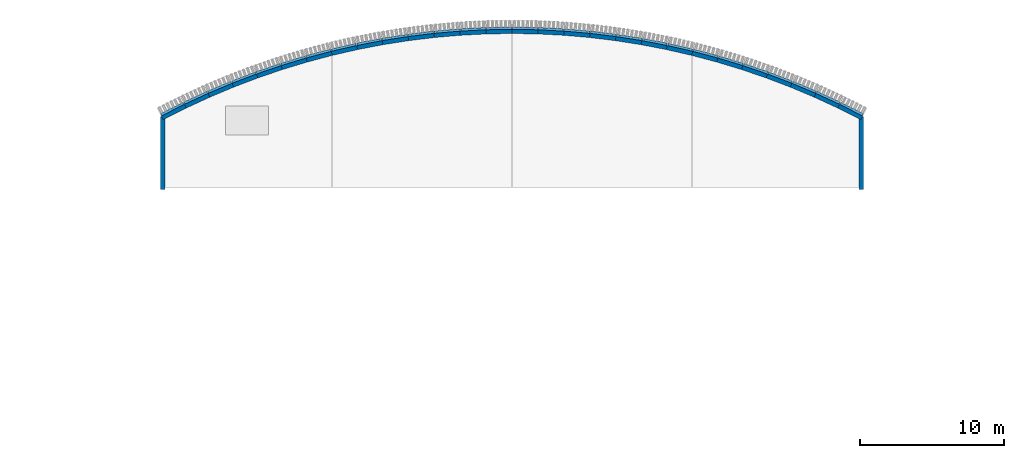
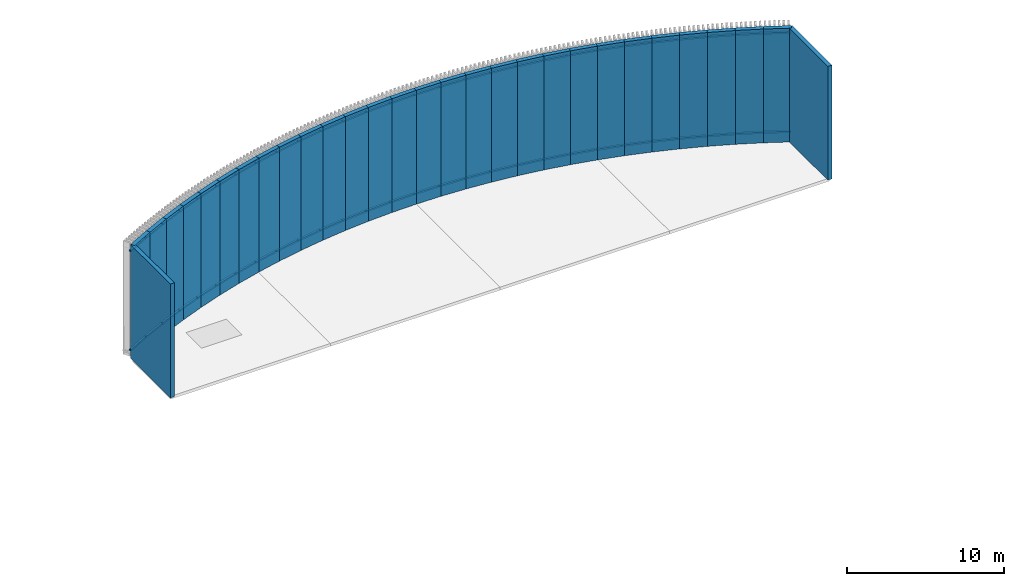
# One storey, part 27 of 32: 56 discrete accessories, 30 walls.
"""IFC4 building model written with IfcOpenShell, lengths in metres."""

from ifc_helpers import new_model, si_unit, direction, frame, frame_2d, origin, place, context, subcontext, project, spatial, polyline, rectangle, outline, extrude, material, layer, layer_set, type_object, element, save


model = new_model("IFC4")

# Units and contexts
model_context = context("Model", 3, precision=1e-05, world=origin(), true_north=direction((0.0, 1.0)))
body_context = subcontext(model_context, "Body", "Model", "MODEL_VIEW")
ifc_project = project(units=[si_unit("LENGTHUNIT", "METRE"), si_unit("AREAUNIT", "SQUARE_METRE"), si_unit("VOLUMEUNIT", "CUBIC_METRE"), si_unit("PLANEANGLEUNIT", "RADIAN"), si_unit("MASSUNIT", "GRAM", prefix="KILO")], contexts=[model_context])

# Site, building, storey
site_placement = place(None, origin())
site = spatial("IfcSite", under=ifc_project, at=site_placement, CompositionType="ELEMENT")
building_placement = place(site_placement, origin())
building = spatial("IfcBuilding", under=site, at=building_placement, Name="Sardonyx Promenade Sports Hall", CompositionType="ELEMENT")
storey_placement = place(building_placement, frame((0.0, 0.0, 20.39990234375)))
storey = spatial("IfcBuildingStorey", under=building, at=storey_placement, Name="L04", CompositionType="ELEMENT", Elevation=20.39990234375)

# Walls
ifc_material_1 = material(Name="Concrete C40/50", Category="concrete")
ifc_layer = layer(ifc_material_1, 0.300048828125)
ifc_layer_set = layer_set([ifc_layer], Name="Wall_Parapet_Bow_300")
wall_type = type_object("IfcWallType", Name="Wall_Parapet_Bow_300", PredefinedType="PARAPET", material=ifc_layer_set)
wall_1_placement = place(storey_placement, frame((29.773681640625, 109.2119140625, 0.0), z_axis=(0.0, 0.0, 1.0), x_axis=(0.892821085875, 0.450411488104, 0.0)))
element("IfcWall", 1, at=wall_1_placement, inside=storey, type_object=wall_type, Name="Bowed promenade wall PP01 L04 CH01", PredefinedType="PARAPET", context=body_context, shape_type="SweptSolid", body=[
    extrude(outline(polyline([(0.002597, -0.15), (1.797403, -0.15), (1.802597, 0.15), (-0.002597, 0.15), (0.002597, -0.15)])), origin(), (0.0, 0.0, 1.0), 8.85009765625),
])
for number, where, z_axis, x_axis, name in (
    (2, (31.380859375, 110.022705078125, 0.0), (0.0, 0.0, 1.0), (0.907808472517, 0.419384998808, 0.0), "Bowed promenade wall PP01 L04 CH02"),
    (3, (33.014892578125, 110.777587890625, 0.0), (0.0, 0.0, 1.0), (0.921803799964, 0.387656748131, 0.0), "Bowed promenade wall PP01 L04 CH03"),
    (4, (34.674072265625, 111.475341796875, 0.0), (0.0, 0.0, 1.0), (0.934674543416, 0.35550456803, 0.0), "Bowed promenade wall PP01 L04 CH04"),
):
    element("IfcWall", number, at=place(storey_placement, frame(where, z_axis=z_axis, x_axis=x_axis)), inside=storey, type_object=wall_type, Name=name, PredefinedType="PARAPET", context=body_context, shape_type="SweptSolid", body=[
        extrude(outline(polyline([(0.002597, -0.15), (1.797404, -0.15), (1.802597, 0.15), (-0.002597, 0.15), (0.002597, -0.15)])), origin(), (0.0, 0.0, 1.0), 8.85009765625),
    ])
for number, where, z_axis, x_axis, name in (
    (5, (36.3564453125, 112.115234375, 0.0), (0.0, 0.0, 1.0), (0.946421657721, 0.322933500578, 0.0), "Bowed promenade wall PP01 L04 CH05"),
    (6, (38.06005859375, 112.696533203125, 0.0), (0.0, 0.0, 1.0), (0.956993600338, 0.290109029354, 0.0), "Bowed promenade wall PP01 L04 CH06"),
):
    element("IfcWall", number, at=place(storey_placement, frame(where, z_axis=z_axis, x_axis=x_axis)), inside=storey, type_object=wall_type, Name=name, PredefinedType="PARAPET", context=body_context, shape_type="SweptSolid", body=[
        extrude(outline(polyline([(0.002597, -0.15), (1.797403, -0.15), (1.802596, 0.15), (-0.002597, 0.15), (0.002597, -0.15)])), origin(), (0.0, 0.0, 1.0), 8.85009765625),
    ])
for number, where, z_axis, x_axis, name in (
    (7, (39.78271484375, 113.21875, 0.0), (0.0, 0.0, 1.0), (0.966504582235, 0.256649357135, 0.0), "Bowed promenade wall PP01 L04 CH07"),
    (8, (41.522216796875, 113.6806640625, 0.0), (0.0, 0.0, 1.0), (0.974791962114, 0.223115733641, 0.0), "Bowed promenade wall PP01 L04 CH08"),
):
    element("IfcWall", number, at=place(storey_placement, frame(where, z_axis=z_axis, x_axis=x_axis)), inside=storey, type_object=wall_type, Name=name, PredefinedType="PARAPET", context=body_context, shape_type="SweptSolid", body=[
        extrude(outline(polyline([(0.002597, -0.15), (1.797404, -0.15), (1.802597, 0.15), (-0.002597, 0.15), (0.002597, -0.15)])), origin(), (0.0, 0.0, 1.0), 8.85009765625),
    ])
wall_2_placement = place(storey_placement, frame((43.27685546875, 114.082275390625, 0.0), z_axis=(0.0, 0.0, 1.0), x_axis=(0.981913462005, 0.189330275271, 0.0)))
element("IfcWall", 9, at=wall_2_placement, inside=storey, type_object=wall_type, Name="Bowed promenade wall PP01 L04 CH09", PredefinedType="PARAPET", context=body_context, shape_type="SweptSolid", body=[
    extrude(outline(polyline([(0.002597, -0.15), (1.797403, -0.15), (1.802596, 0.15), (-0.002597, 0.15), (0.002597, -0.15)])), origin(), (0.0, 0.0, 1.0), 8.85009765625),
])
wall_3_placement = place(storey_placement, frame((45.04443359375, 114.423095703125, 0.0), z_axis=(0.0, 0.0, 1.0), x_axis=(0.987886929918, 0.155175428783, 0.0)))
element("IfcWall", 10, at=wall_3_placement, inside=storey, type_object=wall_type, Name="Bowed promenade wall PP01 L04 CH10", PredefinedType="PARAPET", context=body_context, shape_type="SweptSolid", body=[
    extrude(outline(polyline([(0.002597, -0.15), (1.797404, -0.15), (1.802597, 0.15), (-0.002597, 0.15), (0.002597, -0.15)])), origin(), (0.0, 0.0, 1.0), 8.85009765625),
])
wall_4_placement = place(storey_placement, frame((46.822509765625, 114.702392578125, 0.0), z_axis=(0.0, 0.0, 1.0), x_axis=(0.992671296073, 0.120845761006, 0.0)))
element("IfcWall", 11, at=wall_4_placement, inside=storey, type_object=wall_type, Name="Bowed promenade wall PP01 L04 CH11", PredefinedType="PARAPET", context=body_context, shape_type="SweptSolid", body=[
    extrude(outline(polyline([(0.002597, -0.15), (1.797403, -0.15), (1.802596, 0.15), (-0.002597, 0.15), (0.002597, -0.15)])), origin(), (0.0, 0.0, 1.0), 8.85009765625),
])
for number, where, z_axis, x_axis, name in (
    (12, (48.609375, 114.919921875, 0.0), (0.0, 0.0, 1.0), (0.996260411494, 0.086401345422, 0.0), "Bowed promenade wall PP01 L04 CH12"),
    (13, (50.402587890625, 115.075439453125, 0.0), (0.0, 0.0, 1.0), (0.998649863362, 0.051946611119, 0.0), "Bowed promenade wall PP01 L04 CH13"),
):
    element("IfcWall", number, at=place(storey_placement, frame(where, z_axis=z_axis, x_axis=x_axis)), inside=storey, type_object=wall_type, Name=name, PredefinedType="PARAPET", context=body_context, shape_type="SweptSolid", body=[
        extrude(outline(polyline([(0.002597, -0.15), (1.797404, -0.15), (1.802597, 0.15), (-0.002597, 0.15), (0.002597, -0.15)])), origin(), (0.0, 0.0, 1.0), 8.85009765625),
    ])
for number, where, z_axis, x_axis, name in (
    (14, (52.2001953125, 115.1689453125, 0.0), (0.0, 0.0, 1.0), (0.999851642284, 0.017224790907, 0.0), "Bowed promenade wall PP01 L04 CH14"),
    (15, (54.0, 115.199951171875, 0.0), (0.0, 0.0, 1.0), (0.999851642284, -0.017224790907, 0.0), "Bowed promenade wall PP01 L04 CH15"),
):
    element("IfcWall", number, at=place(storey_placement, frame(where, z_axis=z_axis, x_axis=x_axis)), inside=storey, type_object=wall_type, Name=name, PredefinedType="PARAPET", context=body_context, shape_type="SweptSolid", body=[
        extrude(outline(polyline([(0.002597, -0.15), (1.797403, -0.15), (1.802596, 0.15), (-0.002597, 0.15), (0.002597, -0.15)])), origin(), (0.0, 0.0, 1.0), 8.85009765625),
    ])
for number, where, z_axis, x_axis, name in (
    (16, (55.7998046875, 115.1689453125, 0.0), (0.0, 0.0, 1.0), (0.998649863362, -0.051946611119, 0.0), "Bowed promenade wall PP01 L04 CH16"),
    (17, (57.597412109375, 115.075439453125, 0.0), (0.0, 0.0, 1.0), (0.996260411494, -0.086401345422, 0.0), "Bowed promenade wall PP01 L04 CH17"),
):
    element("IfcWall", number, at=place(storey_placement, frame(where, z_axis=z_axis, x_axis=x_axis)), inside=storey, type_object=wall_type, Name=name, PredefinedType="PARAPET", context=body_context, shape_type="SweptSolid", body=[
        extrude(outline(polyline([(0.002597, -0.15), (1.797404, -0.15), (1.802597, 0.15), (-0.002597, 0.15), (0.002597, -0.15)])), origin(), (0.0, 0.0, 1.0), 8.85009765625),
    ])
wall_5_placement = place(storey_placement, frame((59.390625, 114.919921875, 0.0), z_axis=(0.0, 0.0, 1.0), x_axis=(0.992671296073, -0.120845761006, 0.0)))
element("IfcWall", 18, at=wall_5_placement, inside=storey, type_object=wall_type, Name="Bowed promenade wall PP01 L04 CH18", PredefinedType="PARAPET", context=body_context, shape_type="SweptSolid", body=[
    extrude(outline(polyline([(0.002597, -0.15), (1.797403, -0.15), (1.802596, 0.15), (-0.002597, 0.15), (0.002597, -0.15)])), origin(), (0.0, 0.0, 1.0), 8.85009765625),
])
wall_6_placement = place(storey_placement, frame((61.177490234375, 114.702392578125, 0.0), z_axis=(0.0, 0.0, 1.0), x_axis=(0.987886929918, -0.155175428783, 0.0)))
element("IfcWall", 19, at=wall_6_placement, inside=storey, type_object=wall_type, Name="Bowed promenade wall PP01 L04 CH19", PredefinedType="PARAPET", context=body_context, shape_type="SweptSolid", body=[
    extrude(outline(polyline([(0.002597, -0.15), (1.797404, -0.15), (1.802597, 0.15), (-0.002597, 0.15), (0.002597, -0.15)])), origin(), (0.0, 0.0, 1.0), 8.85009765625),
])
wall_7_placement = place(storey_placement, frame((62.95556640625, 114.423095703125, 0.0), z_axis=(0.0, 0.0, 1.0), x_axis=(0.981913462005, -0.189330275271, 0.0)))
element("IfcWall", 20, at=wall_7_placement, inside=storey, type_object=wall_type, Name="Bowed promenade wall PP01 L04 CH20", PredefinedType="PARAPET", context=body_context, shape_type="SweptSolid", body=[
    extrude(outline(polyline([(0.002597, -0.15), (1.797403, -0.15), (1.802596, 0.15), (-0.002597, 0.15), (0.002597, -0.15)])), origin(), (0.0, 0.0, 1.0), 8.85009765625),
])
for number, where, z_axis, x_axis, name in (
    (21, (64.72314453125, 114.082275390625, 0.0), (0.0, 0.0, 1.0), (0.974791962114, -0.223115733641, 0.0), "Bowed promenade wall PP01 L04 CH21"),
    (22, (66.477783203125, 113.6806640625, 0.0), (0.0, 0.0, 1.0), (0.966504582235, -0.256649357135, 0.0), "Bowed promenade wall PP01 L04 CH22"),
):
    element("IfcWall", number, at=place(storey_placement, frame(where, z_axis=z_axis, x_axis=x_axis)), inside=storey, type_object=wall_type, Name=name, PredefinedType="PARAPET", context=body_context, shape_type="SweptSolid", body=[
        extrude(outline(polyline([(0.002597, -0.15), (1.797404, -0.15), (1.802597, 0.15), (-0.002597, 0.15), (0.002597, -0.15)])), origin(), (0.0, 0.0, 1.0), 8.85009765625),
    ])
for number, where, z_axis, x_axis, name in (
    (23, (68.21728515625, 113.21875, 0.0), (0.0, 0.0, 1.0), (0.956993600338, -0.290109029354, 0.0), "Bowed promenade wall PP01 L04 CH23"),
    (24, (69.93994140625, 112.696533203125, 0.0), (0.0, 0.0, 1.0), (0.946421657721, -0.322933500578, 0.0), "Bowed promenade wall PP01 L04 CH24"),
):
    element("IfcWall", number, at=place(storey_placement, frame(where, z_axis=z_axis, x_axis=x_axis)), inside=storey, type_object=wall_type, Name=name, PredefinedType="PARAPET", context=body_context, shape_type="SweptSolid", body=[
        extrude(outline(polyline([(0.002597, -0.15), (1.797403, -0.15), (1.802596, 0.15), (-0.002597, 0.15), (0.002597, -0.15)])), origin(), (0.0, 0.0, 1.0), 8.85009765625),
    ])
for number, where, z_axis, x_axis, name in (
    (25, (71.6435546875, 112.115234375, 0.0), (0.0, 0.0, 1.0), (0.934674543416, -0.35550456803, 0.0), "Bowed promenade wall PP01 L04 CH25"),
    (26, (73.325927734375, 111.475341796875, 0.0), (0.0, 0.0, 1.0), (0.921803799964, -0.387656748131, 0.0), "Bowed promenade wall PP01 L04 CH26"),
    (27, (74.985107421875, 110.777587890625, 0.0), (0.0, 0.0, 1.0), (0.907808472517, -0.419384998808, 0.0), "Bowed promenade wall PP01 L04 CH27"),
):
    element("IfcWall", number, at=place(storey_placement, frame(where, z_axis=z_axis, x_axis=x_axis)), inside=storey, type_object=wall_type, Name=name, PredefinedType="PARAPET", context=body_context, shape_type="SweptSolid", body=[
        extrude(outline(polyline([(0.002597, -0.15), (1.797404, -0.15), (1.802597, 0.15), (-0.002597, 0.15), (0.002597, -0.15)])), origin(), (0.0, 0.0, 1.0), 8.85009765625),
    ])
wall_8_placement = place(storey_placement, frame((76.619140625, 110.022705078125, 0.0), z_axis=(0.0, 0.0, 1.0), x_axis=(0.892821085875, -0.450411488104, 0.0)))
element("IfcWall", 28, at=wall_8_placement, inside=storey, type_object=wall_type, Name="Bowed promenade wall PP01 L04 CH28", PredefinedType="PARAPET", context=body_context, shape_type="SweptSolid", body=[
    extrude(outline(polyline([(0.002597, -0.15), (1.797403, -0.15), (1.802597, 0.15), (-0.002597, 0.15), (0.002597, -0.15)])), origin(), (0.0, 0.0, 1.0), 8.85009765625),
])
for number, where, z_axis, x_axis, name in (
    (29, (29.82373046875, 104.25, 0.0), (0.0, 0.0, 1.0), (0.0, 1.0, 0.0), "Bowed gallery west return wall L04"),
    (30, (78.17626953125, 109.291748046875, 0.0), (0.0, 0.0, 1.0), (0.0, -1.0, 0.0), "Bowed gallery east return wall L04"),
):
    element("IfcWall", number, at=place(storey_placement, frame(where, z_axis=z_axis, x_axis=x_axis)), inside=storey, type_object=wall_type, Name=name, PredefinedType="PARAPET", context=body_context, shape_type="SweptSolid", body=[
        extrude(rectangle(XDim=5.041748046875, YDim=0.300048828125, at=frame_2d((2.52099609375, 0.0))), origin(), (0.0, 0.0, 1.0), 8.85009765625),
    ])

# Discrete accessories
ifc_material_2 = material(Name="Steel S355JR", Category="steel")
discrete_accessory_type = type_object("IfcDiscreteAccessoryType", Name="Acc_Bracket_S355", PredefinedType="BRACKET", material=ifc_material_2)
for number, where, z_axis, x_axis, name in (
    (31, (30.478132, 109.813697, 0.510098), (0.0, 0.0, 1.0), (0.89277382, 0.45050517, 0.0), "Facade outrigger bracket CH01 L04 #1"),
    (32, (30.478132, 109.813697, 8.220098), (0.0, 0.0, 1.0), (0.89277382, 0.45050517, 0.0), "Facade outrigger bracket CH01 L04 #2"),
    (33, (32.105534, 110.599866, 0.510098), (0.0, 0.0, 1.0), (0.90783091, 0.41933642, 0.0), "Facade outrigger bracket CH02 L04 #1"),
    (34, (32.105534, 110.599866, 8.220098), (0.0, 0.0, 1.0), (0.90783091, 0.41933642, 0.0), "Facade outrigger bracket CH02 L04 #2"),
    (35, (33.75917, 111.329241, 0.510098), (0.0, 0.0, 1.0), (0.92180024, 0.38766521, 0.0), "Facade outrigger bracket CH03 L04 #1"),
    (36, (33.75917, 111.329241, 8.220098), (0.0, 0.0, 1.0), (0.92180024, 0.38766521, 0.0), "Facade outrigger bracket CH03 L04 #2"),
    (37, (35.43706, 112.000945, 0.510098), (0.0, 0.0, 1.0), (0.93466568, 0.35552787, 0.0), "Facade outrigger bracket CH04 L04 #1"),
    (38, (35.43706, 112.000945, 8.220098), (0.0, 0.0, 1.0), (0.93466568, 0.35552787, 0.0), "Facade outrigger bracket CH04 L04 #2"),
    (39, (37.137191, 112.614174, 0.510098), (0.0, 0.0, 1.0), (0.94641052, 0.32296615, 0.0), "Facade outrigger bracket CH05 L04 #1"),
    (40, (37.137191, 112.614174, 8.220098), (0.0, 0.0, 1.0), (0.94641052, 0.32296615, 0.0), "Facade outrigger bracket CH05 L04 #2"),
    (41, (38.857528, 113.168195, 0.510098), (0.0, 0.0, 1.0), (0.95702136, 0.29001744, 0.0), "Facade outrigger bracket CH06 L04 #1"),
    (42, (38.857528, 113.168195, 8.220098), (0.0, 0.0, 1.0), (0.95702136, 0.29001744, 0.0), "Facade outrigger bracket CH06 L04 #2"),
    (43, (40.596009, 113.662342, 0.510098), (0.0, 0.0, 1.0), (0.96648549, 0.25672123, 0.0), "Facade outrigger bracket CH07 L04 #1"),
    (44, (40.596009, 113.662342, 8.220098), (0.0, 0.0, 1.0), (0.96648549, 0.25672123, 0.0), "Facade outrigger bracket CH07 L04 #2"),
    (45, (42.350552, 114.096025, 0.510098), (0.0, 0.0, 1.0), (0.97479158, 0.22311741, 0.0), "Facade outrigger bracket CH08 L04 #1"),
    (46, (42.350552, 114.096025, 8.220098), (0.0, 0.0, 1.0), (0.97479158, 0.22311741, 0.0), "Facade outrigger bracket CH08 L04 #2"),
    (47, (44.119052, 114.468722, 0.510098), (0.0, 0.0, 1.0), (0.98192966, 0.18924626, 0.0), "Facade outrigger bracket CH09 L04 #1"),
    (48, (44.119052, 114.468722, 8.220098), (0.0, 0.0, 1.0), (0.98192966, 0.18924626, 0.0), "Facade outrigger bracket CH09 L04 #2"),
    (49, (45.899393, 114.779988, 0.510098), (0.0, 0.0, 1.0), (0.98789118, 0.15514835, 0.0), "Facade outrigger bracket CH10 L04 #1"),
    (50, (45.899393, 114.779988, 8.220098), (0.0, 0.0, 1.0), (0.98789118, 0.15514835, 0.0), "Facade outrigger bracket CH10 L04 #2"),
    (51, (47.68944, 115.029449, 0.510098), (0.0, 0.0, 1.0), (0.99266922, 0.1208628, 0.0), "Facade outrigger bracket CH11 L04 #1"),
    (52, (47.68944, 115.029449, 8.220098), (0.0, 0.0, 1.0), (0.99266922, 0.1208628, 0.0), "Facade outrigger bracket CH11 L04 #2"),
    (53, (49.487048, 115.216807, 0.510098), (0.0, 0.0, 1.0), (0.99625756, 0.08643416, 0.0), "Facade outrigger bracket CH12 L04 #1"),
    (54, (49.487048, 115.216807, 8.220098), (0.0, 0.0, 1.0), (0.99625756, 0.08643416, 0.0), "Facade outrigger bracket CH12 L04 #2"),
    (55, (51.290065, 115.341837, 0.510098), (0.0, 0.0, 1.0), (0.99865218, 0.05190196, 0.0), "Facade outrigger bracket CH13 L04 #1"),
    (56, (51.290065, 115.341837, 8.220098), (0.0, 0.0, 1.0), (0.99865218, 0.05190196, 0.0), "Facade outrigger bracket CH13 L04 #2"),
    (57, (53.096327, 115.40439, 0.510098), (0.0, 0.0, 1.0), (0.99985021, 0.01730757, 0.0), "Facade outrigger bracket CH14 L04 #1"),
    (58, (53.096327, 115.40439, 8.220098), (0.0, 0.0, 1.0), (0.99985021, 0.01730757, 0.0), "Facade outrigger bracket CH14 L04 #2"),
    (59, (54.903673, 115.40439, 0.510098), (0.0, 0.0, 1.0), (0.99985021, -0.01730757, 0.0), "Facade outrigger bracket CH15 L04 #1"),
    (60, (54.903673, 115.40439, 8.220098), (0.0, 0.0, 1.0), (0.99985021, -0.01730757, 0.0), "Facade outrigger bracket CH15 L04 #2"),
    (61, (56.709935, 115.341837, 0.510098), (0.0, 0.0, 1.0), (0.99865218, -0.05190196, 0.0), "Facade outrigger bracket CH16 L04 #1"),
    (62, (56.709935, 115.341837, 8.220098), (0.0, 0.0, 1.0), (0.99865218, -0.05190196, 0.0), "Facade outrigger bracket CH16 L04 #2"),
    (63, (58.512952, 115.216807, 0.510098), (0.0, 0.0, 1.0), (0.99625756, -0.08643416, 0.0), "Facade outrigger bracket CH17 L04 #1"),
    (64, (58.512952, 115.216807, 8.220098), (0.0, 0.0, 1.0), (0.99625756, -0.08643416, 0.0), "Facade outrigger bracket CH17 L04 #2"),
    (65, (60.31056, 115.029449, 0.510098), (0.0, 0.0, 1.0), (0.99266922, -0.1208628, 0.0), "Facade outrigger bracket CH18 L04 #1"),
    (66, (60.31056, 115.029449, 8.220098), (0.0, 0.0, 1.0), (0.99266922, -0.1208628, 0.0), "Facade outrigger bracket CH18 L04 #2"),
    (67, (62.100607, 114.779988, 0.510098), (0.0, 0.0, 1.0), (0.98789118, -0.15514835, 0.0), "Facade outrigger bracket CH19 L04 #1"),
    (68, (62.100607, 114.779988, 8.220098), (0.0, 0.0, 1.0), (0.98789118, -0.15514835, 0.0), "Facade outrigger bracket CH19 L04 #2"),
    (69, (63.880948, 114.468722, 0.510098), (0.0, 0.0, 1.0), (0.98192966, -0.18924626, 0.0), "Facade outrigger bracket CH20 L04 #1"),
    (70, (63.880948, 114.468722, 8.220098), (0.0, 0.0, 1.0), (0.98192966, -0.18924626, 0.0), "Facade outrigger bracket CH20 L04 #2"),
    (71, (65.649448, 114.096025, 0.510098), (0.0, 0.0, 1.0), (0.97479158, -0.22311741, 0.0), "Facade outrigger bracket CH21 L04 #1"),
    (72, (65.649448, 114.096025, 8.220098), (0.0, 0.0, 1.0), (0.97479158, -0.22311741, 0.0), "Facade outrigger bracket CH21 L04 #2"),
    (73, (67.403991, 113.662342, 0.510098), (0.0, 0.0, 1.0), (0.96648549, -0.25672123, 0.0), "Facade outrigger bracket CH22 L04 #1"),
    (74, (67.403991, 113.662342, 8.220098), (0.0, 0.0, 1.0), (0.96648549, -0.25672123, 0.0), "Facade outrigger bracket CH22 L04 #2"),
    (75, (69.142472, 113.168195, 0.510098), (0.0, 0.0, 1.0), (0.95702136, -0.29001744, 0.0), "Facade outrigger bracket CH23 L04 #1"),
    (76, (69.142472, 113.168195, 8.220098), (0.0, 0.0, 1.0), (0.95702136, -0.29001744, 0.0), "Facade outrigger bracket CH23 L04 #2"),
    (77, (70.862809, 112.614174, 0.510098), (0.0, 0.0, 1.0), (0.94641052, -0.32296615, 0.0), "Facade outrigger bracket CH24 L04 #1"),
    (78, (70.862809, 112.614174, 8.220098), (0.0, 0.0, 1.0), (0.94641052, -0.32296615, 0.0), "Facade outrigger bracket CH24 L04 #2"),
    (79, (72.56294, 112.000945, 0.510098), (0.0, 0.0, 1.0), (0.93466568, -0.35552787, 0.0), "Facade outrigger bracket CH25 L04 #1"),
    (80, (72.56294, 112.000945, 8.220098), (0.0, 0.0, 1.0), (0.93466568, -0.35552787, 0.0), "Facade outrigger bracket CH25 L04 #2"),
    (81, (74.24083, 111.329241, 0.510098), (0.0, 0.0, 1.0), (0.92180024, -0.38766521, 0.0), "Facade outrigger bracket CH26 L04 #1"),
    (82, (74.24083, 111.329241, 8.220098), (0.0, 0.0, 1.0), (0.92180024, -0.38766521, 0.0), "Facade outrigger bracket CH26 L04 #2"),
    (83, (75.894466, 110.599866, 0.510098), (0.0, 0.0, 1.0), (0.90783091, -0.41933642, 0.0), "Facade outrigger bracket CH27 L04 #1"),
    (84, (75.894466, 110.599866, 8.220098), (0.0, 0.0, 1.0), (0.90783091, -0.41933642, 0.0), "Facade outrigger bracket CH27 L04 #2"),
    (85, (77.521868, 109.813697, 0.510098), (0.0, 0.0, 1.0), (0.89277382, -0.45050517, 0.0), "Facade outrigger bracket CH28 L04 #1"),
    (86, (77.521868, 109.813697, 8.220098), (0.0, 0.0, 1.0), (0.89277382, -0.45050517, 0.0), "Facade outrigger bracket CH28 L04 #2"),
):
    element("IfcDiscreteAccessory", number, at=place(storey_placement, frame(where, z_axis=z_axis, x_axis=x_axis)), inside=storey, type_object=discrete_accessory_type, material=ifc_material_2, Name=name, PredefinedType="BRACKET", context=body_context, shape_type="SweptSolid", body=[
        extrude(rectangle(XDim=1.74, YDim=0.16), origin(), (0.0, 0.0, 1.0), 0.12),
    ])

save(model, "model.ifc")
